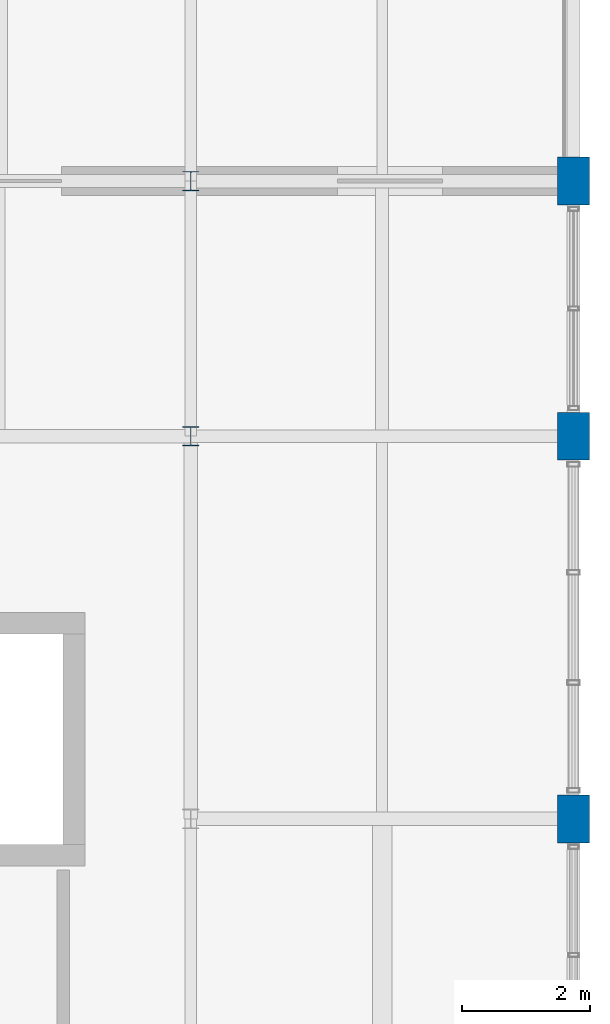
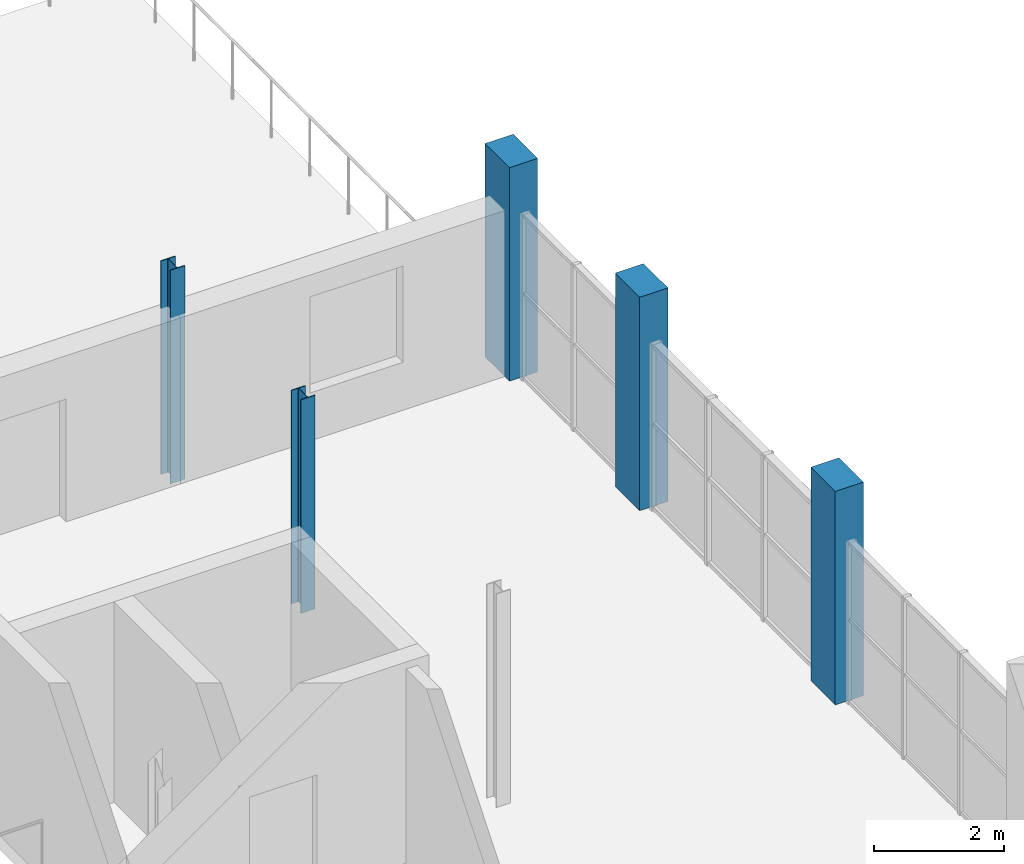
# One storey, part 16 of 96: 5 columns.
"""IFC4 building model written with IfcOpenShell, lengths in metres."""

from ifc_helpers import new_model, si_unit, direction, frame, origin, origin_2d, place, context, subcontext, project, spatial, rectangle, i_section, extrude, material, material_profile, profile_set, type_object, element, save


model = new_model("IFC4")

# Units and contexts
model_context = context("Model", 3, precision=1e-05, world=origin(), true_north=direction((0.0, 1.0)))
body_context = subcontext(model_context, "Body", "Model", "MODEL_VIEW")
ifc_project = project(units=[si_unit("LENGTHUNIT", "METRE"), si_unit("AREAUNIT", "SQUARE_METRE"), si_unit("VOLUMEUNIT", "CUBIC_METRE"), si_unit("PLANEANGLEUNIT", "RADIAN"), si_unit("MASSUNIT", "GRAM", prefix="KILO")], contexts=[model_context])

# Site, building, storey
site_placement = place(None, origin())
site = spatial("IfcSite", under=ifc_project, at=site_placement, CompositionType="ELEMENT")
building_placement = place(site_placement, origin())
building = spatial("IfcBuilding", under=site, at=building_placement, Name="Verrall Gate Interchange", CompositionType="ELEMENT")
storey_placement = place(building_placement, frame((0.0, 0.0, 11.39990234375)))
storey = spatial("IfcBuildingStorey", under=building, at=storey_placement, Name="L03", CompositionType="ELEMENT", Elevation=11.39990234375)

# Columns
ifc_material_1 = material(Name="Concrete CSA A23.1 40 MPa (Class C-1)", Category="concrete")
ifc_material_profile_1 = material_profile(ifc_material_1, rectangle(XDim=0.5, YDim=0.75, at=origin_2d()), Name="RC500x750")
ifc_profile_set_1 = profile_set([ifc_material_profile_1], Name="Concrete CSA A23.1 40 MPa (Class C-1)")
column_type_1 = type_object("IfcColumnType", Name="C-05 Pilaster RC500x750", PredefinedType="PILASTER", material=ifc_profile_set_1)
for number, where, z_axis, x_axis, name in (
    (1, (168.0, 34.0, 0.0), (0.0, 0.0, 1.0), (1.0, 0.0, 0.0), "L03 Column COL-L03-1492 (C-05)"),
    (2, (168.0, 40.0, 0.0), (0.0, 0.0, 1.0), (1.0, 0.0, 0.0), "L03 Column COL-L03-1497 (C-05)"),
    (3, (168.0, 44.0, 0.0), (0.0, 0.0, 1.0), (1.0, 0.0, 0.0), "L03 Column COL-L03-1502 (C-05)"),
):
    element("IfcColumn", number, at=place(storey_placement, frame(where, z_axis=z_axis, x_axis=x_axis)), inside=storey, type_object=column_type_1, Name=name, PredefinedType="PILASTER", context=body_context, shape_type="SweptSolid", body=[
        extrude(rectangle(XDim=0.5, YDim=0.75, at=origin_2d()), origin(), (0.0, 0.0, 1.0), 4.0),
    ])
ifc_material_2 = material(Name="Structural Steel CSA G40.21 350W", Category="steel")
ifc_material_profile_2 = material_profile(ifc_material_2, i_section(OverallWidth=0.25390625, OverallDepth=0.305908203125, WebThickness=0.0087890625, FlangeThickness=0.0146484375, FilletRadius=0.012939453125, at=origin_2d()), Name="W310x79")
ifc_profile_set_2 = profile_set([ifc_material_profile_2], Name="Structural Steel CSA G40.21 350W")
column_type_2 = type_object("IfcColumnType", Name="C-10 Column W310x79", PredefinedType="COLUMN", material=ifc_profile_set_2)
for number, where, z_axis, x_axis, name in (
    (4, (162.0, 40.0, 0.0), (0.0, 0.0, 1.0), (1.0, 0.0, 0.0), "L03 Column COL-L03-1454 (C-10)"),
    (5, (162.0, 44.0, 0.0), (0.0, 0.0, 1.0), (1.0, 0.0, 0.0), "L03 Column COL-L03-1459 (C-10)"),
):
    element("IfcColumn", number, at=place(storey_placement, frame(where, z_axis=z_axis, x_axis=x_axis)), inside=storey, type_object=column_type_2, Name=name, PredefinedType="COLUMN", context=body_context, shape_type="SweptSolid", body=[
        extrude(i_section(OverallWidth=0.25390625, OverallDepth=0.305908203125, WebThickness=0.0087890625, FlangeThickness=0.0146484375, FilletRadius=0.012939453125, at=origin_2d()), origin(), (0.0, 0.0, 1.0), 4.0),
    ])

save(model, "model.ifc")
